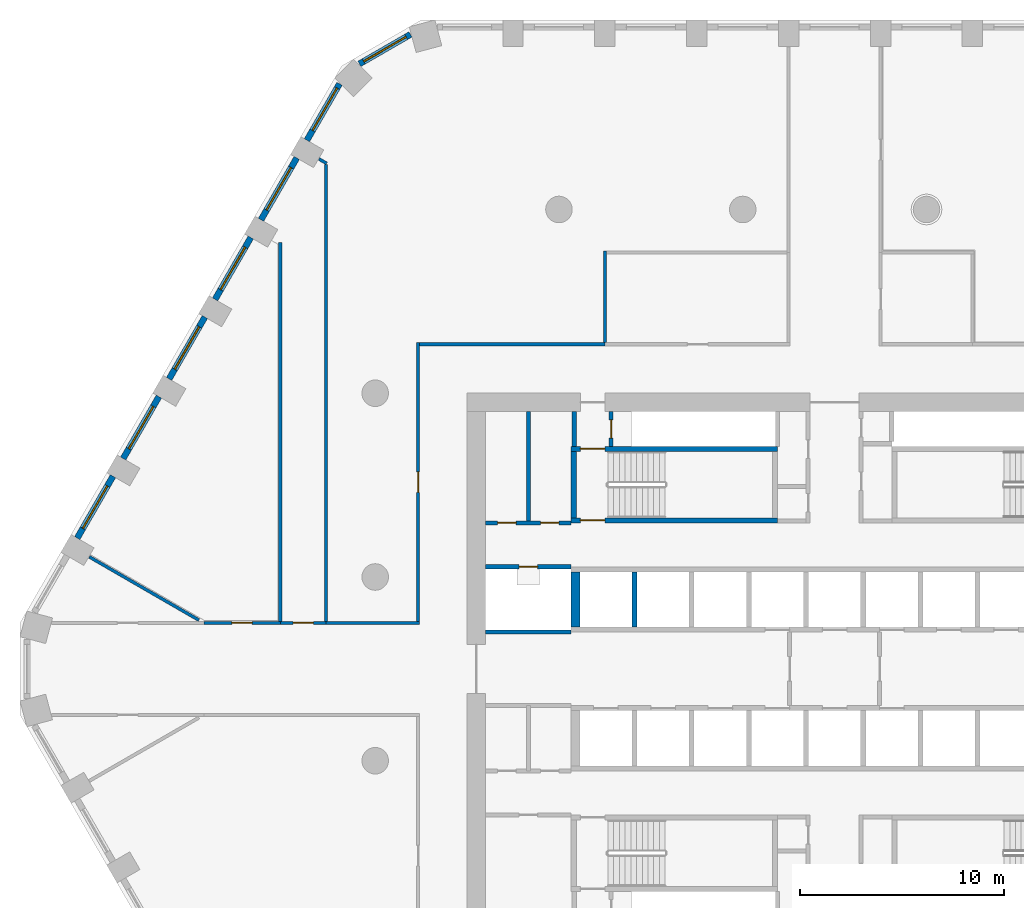
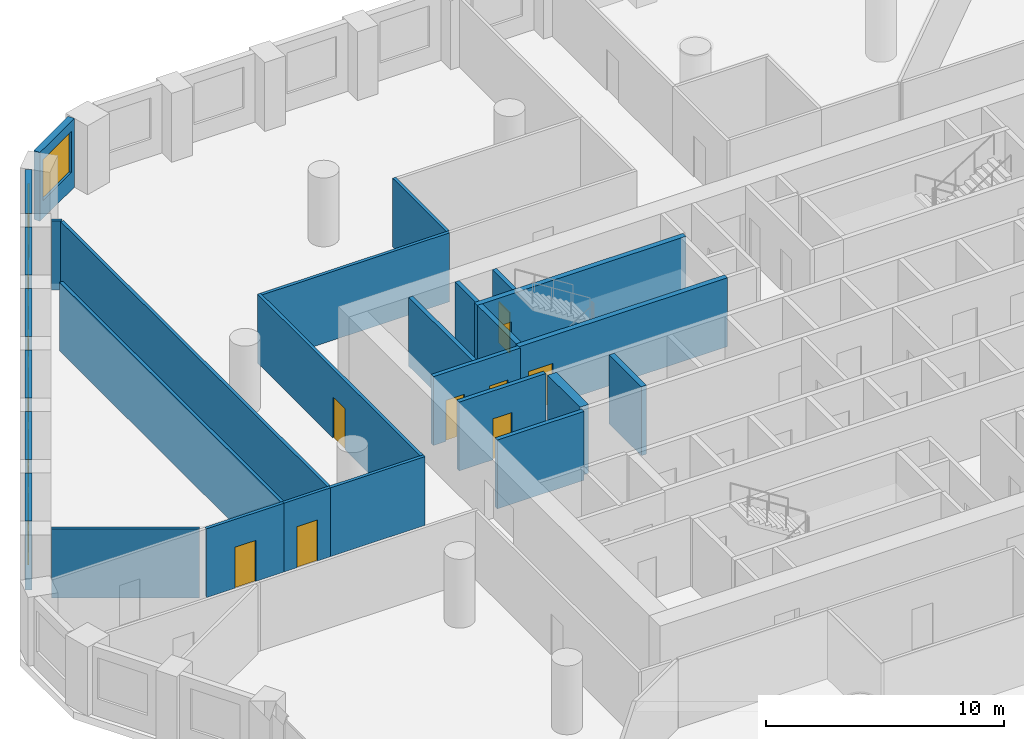
# One storey, part 5 of 14: 28 walls, 9 doors, 7 windows, 16 openings.
"""IFC4 building model written with IfcOpenShell, lengths in metres."""

from ifc_helpers import new_model, si_unit, direction, frame, frame_2d, origin, place, context, subcontext, project, spatial, polyline, rectangle, outline, extrude, material, layer, layer_set, type_object, element, fill, save


model = new_model("IFC4")

# Units and contexts
model_context = context("Model", 3, precision=1e-05, world=origin(), true_north=direction((0.0, 1.0)))
body_context = subcontext(model_context, "Body", "Model", "MODEL_VIEW")
ifc_project = project(units=[si_unit("LENGTHUNIT", "METRE"), si_unit("AREAUNIT", "SQUARE_METRE"), si_unit("VOLUMEUNIT", "CUBIC_METRE"), si_unit("PLANEANGLEUNIT", "RADIAN"), si_unit("MASSUNIT", "GRAM", prefix="KILO")], contexts=[model_context])

# Site, building, storey
site_placement = place(None, origin())
site = spatial("IfcSite", under=ifc_project, at=site_placement, CompositionType="ELEMENT")
building_placement = place(site_placement, origin())
building = spatial("IfcBuilding", under=site, at=building_placement, Name="Dhurran Vertical Campus", CompositionType="ELEMENT")
storey_placement = place(building_placement, frame((0.0, 0.0, 96.89990234375)))
storey = spatial("IfcBuildingStorey", under=building, at=storey_placement, Name="L23", CompositionType="ELEMENT", Elevation=96.89990234375)

# Wall, opening, window
ifc_material_1 = material(Name="Precast concrete C50/60", Category="concrete")
ifc_layer_1 = layer(ifc_material_1, 0.300048828125)
ifc_layer_set_1 = layer_set([ifc_layer_1], Name="Precast concrete C50/60")
wall_type_1 = type_object("IfcWallType", Name="Precast spandrel wall 300", PredefinedType="SOLIDWALL", material=ifc_layer_set_1)
wall_1_placement = place(storey_placement, frame((-20.774169921875, 31.072998046875, 0.0), z_axis=(0.0, 0.0, 1.0), x_axis=(-0.866053149362, -0.49995194017, 0.0)))
wall_1 = element("IfcWall", 1, at=wall_1_placement, inside=storey, type_object=wall_type_1, Name="EW1 L23.35", PredefinedType="SOLIDWALL", context=body_context, shape_type="SweptSolid", body=[
    extrude(rectangle(XDim=2.885498046875, YDim=0.300048828125, at=frame_2d((1.44287109375, 0.0))), origin(), (0.0, 0.0, 1.0), 3.525146484375),
])
opening_1_placement = place(wall_1_placement, frame((0.242919921875, 0.0, 0.89990234375)))
opening_1 = element("IfcOpeningElement", 2, at=opening_1_placement, cuts=wall_1, Name="Opening WT1", PredefinedType="OPENING", context=body_context, shape_type="SweptSolid", body=[
    extrude(rectangle(XDim=2.39990234375, YDim=2.10009765625, at=frame_2d((1.199951171875, 1.050048828125))), frame((0.0, 0.159912109375, 0.0), z_axis=(0.0, -1.0, 0.0), x_axis=(1.0, 0.0, 0.0)), (0.0, 0.0, 1.0), 0.320068359375),
])
ifc_material_2 = material(Name="Aluminium frame with solar-control glass", Category="aluminium")
window_type = type_object("IfcWindowType", Name="Punched window 2400 x 2100", PartitioningType="SINGLE_PANEL", PredefinedType="WINDOW", material=ifc_material_2)
window_1_placement = place(opening_1_placement, origin())
window_1 = element("IfcWindow", 3, at=window_1_placement, inside=storey, type_object=window_type, Name="WT1 L23.35", OverallHeight=2.10009765625, OverallWidth=2.39990234375, PartitioningType="SINGLE_PANEL", PredefinedType="WINDOW", context=body_context, shape_type="SweptSolid", body=[
    extrude(rectangle(XDim=2.39990234375, YDim=2.10009765625, at=frame_2d((1.199951171875, 1.050048828125))), frame((0.0, 0.030029296875, 0.0), z_axis=(0.0, -1.0, 0.0), x_axis=(1.0, 0.0, 0.0)), (0.0, 0.0, 1.0), 0.06005859375),
])
fill(opening_1, window_1)

wall_2_placement = place(storey_placement, frame((-24.24755859375, 28.65576171875, 0.0), z_axis=(0.0, 0.0, 1.0), x_axis=(-0.500004907028, -0.866022570692, 0.0)))
wall_2 = element("IfcWall", 4, at=wall_2_placement, inside=storey, type_object=wall_type_1, Name="EW1 L23.36", PredefinedType="SOLIDWALL", context=body_context, shape_type="SweptSolid", body=[
    extrude(rectangle(XDim=3.1923828125, YDim=0.300048828125, at=frame_2d((1.59619140625, 0.0))), origin(), (0.0, 0.0, 1.0), 3.525146484375),
])
opening_2_placement = place(wall_2_placement, frame((0.242919921875, 0.0, 0.89990234375)))
opening_2 = element("IfcOpeningElement", 5, at=opening_2_placement, cuts=wall_2, Name="Opening WT1", PredefinedType="OPENING", context=body_context, shape_type="SweptSolid", body=[
    extrude(rectangle(XDim=2.39990234375, YDim=2.10009765625, at=frame_2d((1.199951171875, 1.050048828125))), frame((0.0, 0.159912109375, 0.0), z_axis=(0.0, -1.0, 0.0), x_axis=(1.0, 0.0, 0.0)), (0.0, 0.0, 1.0), 0.320068359375),
])
window_2_placement = place(opening_2_placement, origin())
window_2 = element("IfcWindow", 6, at=window_2_placement, inside=storey, type_object=window_type, Name="WT1 L23.36", OverallHeight=2.10009765625, OverallWidth=2.39990234375, PartitioningType="SINGLE_PANEL", PredefinedType="WINDOW", context=body_context, shape_type="SweptSolid", body=[
    extrude(rectangle(XDim=2.39990234375, YDim=2.10009765625, at=frame_2d((1.199951171875, 1.050048828125))), frame((0.0, 0.030029296875, 0.0), z_axis=(0.0, -1.0, 0.0), x_axis=(1.0, 0.0, 0.0)), (0.0, 0.0, 1.0), 0.06005859375),
])
fill(opening_2, window_2)

wall_3_placement = place(storey_placement, frame((-26.34423828125, 25.024169921875, 0.0), z_axis=(0.0, 0.0, 1.0), x_axis=(-0.499996256241, -0.866027565234, 0.0)))
wall_3 = element("IfcWall", 7, at=wall_3_placement, inside=storey, type_object=wall_type_1, Name="EW1 L23.37", PredefinedType="SOLIDWALL", context=body_context, shape_type="SweptSolid", body=[
    extrude(rectangle(XDim=3.4990234375, YDim=0.300048828125, at=frame_2d((1.74951171875, 0.0))), origin(), (0.0, 0.0, 1.0), 3.525146484375),
])
opening_3_placement = place(wall_3_placement, frame((0.549560546875, 0.0, 0.89990234375)))
opening_3 = element("IfcOpeningElement", 8, at=opening_3_placement, cuts=wall_3, Name="Opening WT1", PredefinedType="OPENING", context=body_context, shape_type="SweptSolid", body=[
    extrude(rectangle(XDim=2.39990234375, YDim=2.10009765625, at=frame_2d((1.199951171875, 1.050048828125))), frame((0.0, 0.159912109375, 0.0), z_axis=(0.0, -1.0, 0.0), x_axis=(1.0, 0.0, 0.0)), (0.0, 0.0, 1.0), 0.320068359375),
])
window_3_placement = place(opening_3_placement, origin())
window_3 = element("IfcWindow", 9, at=window_3_placement, inside=storey, type_object=window_type, Name="WT1 L23.37", OverallHeight=2.10009765625, OverallWidth=2.39990234375, PartitioningType="SINGLE_PANEL", PredefinedType="WINDOW", context=body_context, shape_type="SweptSolid", body=[
    extrude(rectangle(XDim=2.39990234375, YDim=2.10009765625, at=frame_2d((1.199951171875, 1.050048828125))), frame((0.0, 0.030029296875, 0.0), z_axis=(0.0, -1.0, 0.0), x_axis=(1.0, 0.0, 0.0)), (0.0, 0.0, 1.0), 0.06005859375),
])
fill(opening_3, window_3)

wall_4_placement = place(storey_placement, frame((-28.59423828125, 21.127197265625, 0.0), z_axis=(0.0, 0.0, 1.0), x_axis=(-0.499996256241, -0.866027565234, 0.0)))
wall_4 = element("IfcWall", 10, at=wall_4_placement, inside=storey, type_object=wall_type_1, Name="EW1 L23.38", PredefinedType="SOLIDWALL", context=body_context, shape_type="SweptSolid", body=[
    extrude(rectangle(XDim=3.4990234375, YDim=0.300048828125, at=frame_2d((1.74951171875, 0.0))), origin(), (0.0, 0.0, 1.0), 3.525146484375),
])
opening_4_placement = place(wall_4_placement, frame((0.549560546875, 0.0, 0.89990234375)))
opening_4 = element("IfcOpeningElement", 11, at=opening_4_placement, cuts=wall_4, Name="Opening WT1", PredefinedType="OPENING", context=body_context, shape_type="SweptSolid", body=[
    extrude(rectangle(XDim=2.39990234375, YDim=2.10009765625, at=frame_2d((1.199951171875, 1.050048828125))), frame((0.0, 0.159912109375, 0.0), z_axis=(0.0, -1.0, 0.0), x_axis=(1.0, 0.0, 0.0)), (0.0, 0.0, 1.0), 0.320068359375),
])
window_4_placement = place(opening_4_placement, origin())
window_4 = element("IfcWindow", 12, at=window_4_placement, inside=storey, type_object=window_type, Name="WT1 L23.38", OverallHeight=2.10009765625, OverallWidth=2.39990234375, PartitioningType="SINGLE_PANEL", PredefinedType="WINDOW", context=body_context, shape_type="SweptSolid", body=[
    extrude(rectangle(XDim=2.39990234375, YDim=2.10009765625, at=frame_2d((1.199951171875, 1.050048828125))), frame((0.0, 0.030029296875, 0.0), z_axis=(0.0, -1.0, 0.0), x_axis=(1.0, 0.0, 0.0)), (0.0, 0.0, 1.0), 0.06005859375),
])
fill(opening_4, window_4)

wall_5_placement = place(storey_placement, frame((-30.84423828125, 17.22998046875, 0.0), z_axis=(0.0, 0.0, 1.0), x_axis=(-0.499996256241, -0.866027565234, 0.0)))
wall_5 = element("IfcWall", 13, at=wall_5_placement, inside=storey, type_object=wall_type_1, Name="EW1 L23.39", PredefinedType="SOLIDWALL", context=body_context, shape_type="SweptSolid", body=[
    extrude(rectangle(XDim=3.4990234375, YDim=0.300048828125, at=frame_2d((1.74951171875, 0.0))), origin(), (0.0, 0.0, 1.0), 3.525146484375),
])
opening_5_placement = place(wall_5_placement, frame((0.549560546875, 0.0, 0.89990234375)))
opening_5 = element("IfcOpeningElement", 14, at=opening_5_placement, cuts=wall_5, Name="Opening WT1", PredefinedType="OPENING", context=body_context, shape_type="SweptSolid", body=[
    extrude(rectangle(XDim=2.39990234375, YDim=2.10009765625, at=frame_2d((1.199951171875, 1.050048828125))), frame((0.0, 0.159912109375, 0.0), z_axis=(0.0, -1.0, 0.0), x_axis=(1.0, 0.0, 0.0)), (0.0, 0.0, 1.0), 0.320068359375),
])
window_5_placement = place(opening_5_placement, origin())
window_5 = element("IfcWindow", 15, at=window_5_placement, inside=storey, type_object=window_type, Name="WT1 L23.39", OverallHeight=2.10009765625, OverallWidth=2.39990234375, PartitioningType="SINGLE_PANEL", PredefinedType="WINDOW", context=body_context, shape_type="SweptSolid", body=[
    extrude(rectangle(XDim=2.39990234375, YDim=2.10009765625, at=frame_2d((1.199951171875, 1.050048828125))), frame((0.0, 0.030029296875, 0.0), z_axis=(0.0, -1.0, 0.0), x_axis=(1.0, 0.0, 0.0)), (0.0, 0.0, 1.0), 0.06005859375),
])
fill(opening_5, window_5)

wall_6_placement = place(storey_placement, frame((-33.09423828125, 13.3330078125, 0.0), z_axis=(0.0, 0.0, 1.0), x_axis=(-0.499996256241, -0.866027565234, 0.0)))
wall_6 = element("IfcWall", 16, at=wall_6_placement, inside=storey, type_object=wall_type_1, Name="EW1 L23.40", PredefinedType="SOLIDWALL", context=body_context, shape_type="SweptSolid", body=[
    extrude(rectangle(XDim=3.4990234375, YDim=0.300048828125, at=frame_2d((1.74951171875, 0.0))), origin(), (0.0, 0.0, 1.0), 3.525146484375),
])
opening_6_placement = place(wall_6_placement, frame((0.549560546875, 0.0, 0.89990234375)))
opening_6 = element("IfcOpeningElement", 17, at=opening_6_placement, cuts=wall_6, Name="Opening WT1", PredefinedType="OPENING", context=body_context, shape_type="SweptSolid", body=[
    extrude(rectangle(XDim=2.39990234375, YDim=2.10009765625, at=frame_2d((1.199951171875, 1.050048828125))), frame((0.0, 0.159912109375, 0.0), z_axis=(0.0, -1.0, 0.0), x_axis=(1.0, 0.0, 0.0)), (0.0, 0.0, 1.0), 0.320068359375),
])
window_6_placement = place(opening_6_placement, origin())
window_6 = element("IfcWindow", 18, at=window_6_placement, inside=storey, type_object=window_type, Name="WT1 L23.40", OverallHeight=2.10009765625, OverallWidth=2.39990234375, PartitioningType="SINGLE_PANEL", PredefinedType="WINDOW", context=body_context, shape_type="SweptSolid", body=[
    extrude(rectangle(XDim=2.39990234375, YDim=2.10009765625, at=frame_2d((1.199951171875, 1.050048828125))), frame((0.0, 0.030029296875, 0.0), z_axis=(0.0, -1.0, 0.0), x_axis=(1.0, 0.0, 0.0)), (0.0, 0.0, 1.0), 0.06005859375),
])
fill(opening_6, window_6)

wall_7_placement = place(storey_placement, frame((-35.34423828125, 9.435791015625, 0.0), z_axis=(0.0, 0.0, 1.0), x_axis=(-0.499996256241, -0.866027565234, 0.0)))
wall_7 = element("IfcWall", 19, at=wall_7_placement, inside=storey, type_object=wall_type_1, Name="EW1 L23.41", PredefinedType="SOLIDWALL", context=body_context, shape_type="SweptSolid", body=[
    extrude(rectangle(XDim=3.4990234375, YDim=0.300048828125, at=frame_2d((1.74951171875, 0.0))), origin(), (0.0, 0.0, 1.0), 3.525146484375),
])
opening_7_placement = place(wall_7_placement, frame((0.549560546875, 0.0, 0.89990234375)))
opening_7 = element("IfcOpeningElement", 20, at=opening_7_placement, cuts=wall_7, Name="Opening WT1", PredefinedType="OPENING", context=body_context, shape_type="SweptSolid", body=[
    extrude(rectangle(XDim=2.39990234375, YDim=2.10009765625, at=frame_2d((1.199951171875, 1.050048828125))), frame((0.0, 0.159912109375, 0.0), z_axis=(0.0, -1.0, 0.0), x_axis=(1.0, 0.0, 0.0)), (0.0, 0.0, 1.0), 0.320068359375),
])
window_7_placement = place(opening_7_placement, origin())
window_7 = element("IfcWindow", 21, at=window_7_placement, inside=storey, type_object=window_type, Name="WT1 L23.41", OverallHeight=2.10009765625, OverallWidth=2.39990234375, PartitioningType="SINGLE_PANEL", PredefinedType="WINDOW", context=body_context, shape_type="SweptSolid", body=[
    extrude(rectangle(XDim=2.39990234375, YDim=2.10009765625, at=frame_2d((1.199951171875, 1.050048828125))), frame((0.0, 0.030029296875, 0.0), z_axis=(0.0, -1.0, 0.0), x_axis=(1.0, 0.0, 0.0)), (0.0, 0.0, 1.0), 0.06005859375),
])
fill(opening_7, window_7)

# Wall
ifc_material_3 = material(Name="Fire-rated masonry blockwork", Category="masonry")
ifc_layer_2 = layer(ifc_material_3, 0.199951171875)
ifc_layer_set_2 = layer_set([ifc_layer_2], Name="Fire-rated masonry blockwork")
wall_type_2 = type_object("IfcWallType", Name="co-FIRE-PARTITION-200", PredefinedType="PARTITIONING", material=ifc_layer_set_2)
wall_8_placement = place(storey_placement, frame((-12.75, 10.89990234375, 0.0), z_axis=(0.0, 0.0, 1.0), x_axis=(0.0, 1.0, 0.0)))
element("IfcWall", 22, at=wall_8_placement, inside=storey, type_object=wall_type_2, Name="Core partition pass-ST1-o L23", PredefinedType="PARTITIONING", context=body_context, shape_type="SweptSolid", body=[
    extrude(rectangle(XDim=1.7001953125, YDim=0.199951171875, at=frame_2d((0.85009765625, 0.0))), origin(), (0.0, 0.0, 1.0), 3.525146484375),
])

# Wall, opening, door
wall_9_placement = place(storey_placement, frame((-10.949951171875, 10.89990234375, 0.0), z_axis=(0.0, 0.0, 1.0), x_axis=(0.0, 1.0, 0.0)))
wall_9 = element("IfcWall", 23, at=wall_9_placement, inside=storey, type_object=wall_type_2, Name="Core partition pass-ST1-i L23", PredefinedType="PARTITIONING", context=body_context, shape_type="SweptSolid", body=[
    extrude(rectangle(XDim=1.7001953125, YDim=0.199951171875, at=frame_2d((0.85009765625, 0.0))), origin(), (0.0, 0.0, 1.0), 3.525146484375),
])
opening_8_placement = place(wall_9_placement, frame((0.39990234375, 0.0, 0.0)))
opening_8 = element("IfcOpeningElement", 24, at=opening_8_placement, cuts=wall_9, Name="Opening T06-C8", PredefinedType="OPENING", context=body_context, shape_type="SweptSolid", body=[
    extrude(rectangle(XDim=0.89990234375, YDim=2.10009765625, at=frame_2d((0.449951171875, 1.050048828125))), frame((0.0, 0.10986328125, 0.0), z_axis=(0.0, -1.0, 0.0), x_axis=(1.0, 0.0, 0.0)), (0.0, 0.0, 1.0), 0.219970703125),
])
ifc_material_4 = material(Name="Fire-rated timber door set", Category="wood")
door_type_1 = type_object("IfcDoorType", Name="co-D-ROOM 900x2100", OperationType="SINGLE_SWING_LEFT", PredefinedType="DOOR", material=ifc_material_4)
door_1_placement = place(opening_8_placement, origin())
door_1 = element("IfcDoor", 25, at=door_1_placement, inside=storey, type_object=door_type_1, Name="Riser room door L23", OperationType="SINGLE_SWING_LEFT", OverallHeight=2.10009765625, OverallWidth=0.89990234375, PredefinedType="DOOR", context=body_context, shape_type="SweptSolid", body=[
    extrude(rectangle(XDim=0.89990234375, YDim=2.10009765625, at=frame_2d((0.449951171875, 1.050048828125))), frame((0.0, 0.02490234375, 0.0), z_axis=(0.0, -1.0, 0.0), x_axis=(1.0, 0.0, 0.0)), (0.0, 0.0, 1.0), 0.050048828125),
])
fill(opening_8, door_1)

# Wall
wall_10_placement = place(storey_placement, frame((-15.0, 7.14990234375, 0.0), z_axis=(0.0, 0.0, 1.0), x_axis=(0.0, 1.0, 0.0)))
element("IfcWall", 26, at=wall_10_placement, inside=storey, type_object=wall_type_2, Name="Core partition en-NW-cut0 L23", PredefinedType="PARTITIONING", context=body_context, shape_type="SweptSolid", body=[
    extrude(rectangle(XDim=5.4501953125, YDim=0.199951171875, at=frame_2d((2.72509765625, 0.0))), origin(), (0.0, 0.0, 1.0), 3.525146484375),
])

# Wall, openings, doors
wall_11_placement = place(storey_placement, frame((-17.10009765625, 7.14990234375, 0.0), z_axis=(0.0, 0.0, 1.0), x_axis=(1.0, 0.0, 0.0)))
wall_11 = element("IfcWall", 27, at=wall_11_placement, inside=storey, type_object=wall_type_2, Name="Core partition en-NW-w L23", PredefinedType="PARTITIONING", context=body_context, shape_type="SweptSolid", body=[
    extrude(rectangle(XDim=4.2001953125, YDim=0.199951171875, at=frame_2d((2.10009765625, 0.0))), origin(), (0.0, 0.0, 1.0), 3.525146484375),
])
opening_9_placement = place(wall_11_placement, frame((0.60009765625, 0.0, 0.0)))
opening_9 = element("IfcOpeningElement", 28, at=opening_9_placement, cuts=wall_11, Name="Opening T06-C12", PredefinedType="OPENING", context=body_context, shape_type="SweptSolid", body=[
    extrude(rectangle(XDim=0.89990234375, YDim=2.10009765625, at=frame_2d((0.449951171875, 1.050048828125))), frame((0.0, 0.10986328125, 0.0), z_axis=(0.0, -1.0, 0.0), x_axis=(1.0, 0.0, 0.0)), (0.0, 0.0, 1.0), 0.219970703125),
])
opening_10_placement = place(wall_11_placement, frame((2.699951171875, 0.0, 0.0)))
opening_10 = element("IfcOpeningElement", 29, at=opening_10_placement, cuts=wall_11, Name="Opening T06-C13", PredefinedType="OPENING", context=body_context, shape_type="SweptSolid", body=[
    extrude(rectangle(XDim=0.89990234375, YDim=2.10009765625, at=frame_2d((0.449951171875, 1.050048828125))), frame((0.0, 0.10986328125, 0.0), z_axis=(0.0, -1.0, 0.0), x_axis=(1.0, 0.0, 0.0)), (0.0, 0.0, 1.0), 0.219970703125),
])
door_2_placement = place(opening_9_placement, origin())
door_2 = element("IfcDoor", 30, at=door_2_placement, inside=storey, type_object=door_type_1, Name="Housekeeping store door L23", OperationType="SINGLE_SWING_LEFT", OverallHeight=2.10009765625, OverallWidth=0.89990234375, PredefinedType="DOOR", context=body_context, shape_type="SweptSolid", body=[
    extrude(rectangle(XDim=0.89990234375, YDim=2.10009765625, at=frame_2d((0.449951171875, 1.050048828125))), frame((0.0, 0.02490234375, 0.0), z_axis=(0.0, -1.0, 0.0), x_axis=(1.0, 0.0, 0.0)), (0.0, 0.0, 1.0), 0.050048828125),
])
fill(opening_9, door_2)
door_3_placement = place(opening_10_placement, origin())
door_3 = element("IfcDoor", 31, at=door_3_placement, inside=storey, type_object=door_type_1, Name="Waste room door L23", OperationType="SINGLE_SWING_LEFT", OverallHeight=2.10009765625, OverallWidth=0.89990234375, PredefinedType="DOOR", context=body_context, shape_type="SweptSolid", body=[
    extrude(rectangle(XDim=0.89990234375, YDim=2.10009765625, at=frame_2d((0.449951171875, 1.050048828125))), frame((0.0, 0.02490234375, 0.0), z_axis=(0.0, -1.0, 0.0), x_axis=(1.0, 0.0, 0.0)), (0.0, 0.0, 1.0), 0.050048828125),
])
fill(opening_10, door_3)

# Wall, opening, door
wall_12_placement = place(storey_placement, frame((-17.10009765625, 5.0, 0.0), z_axis=(0.0, 0.0, 1.0), x_axis=(1.0, 0.0, 0.0)))
wall_12 = element("IfcWall", 32, at=wall_12_placement, inside=storey, type_object=wall_type_2, Name="Core partition es-NW-w L23", PredefinedType="PARTITIONING", context=body_context, shape_type="SweptSolid", body=[
    extrude(rectangle(XDim=4.2001953125, YDim=0.199951171875, at=frame_2d((2.10009765625, 0.0))), origin(), (0.0, 0.0, 1.0), 3.525146484375),
])
opening_11_placement = place(wall_12_placement, frame((1.64990234375, 0.0, 0.0)))
opening_11 = element("IfcOpeningElement", 33, at=opening_11_placement, cuts=wall_12, Name="Opening T06-C14", PredefinedType="OPENING", context=body_context, shape_type="SweptSolid", body=[
    extrude(rectangle(XDim=0.89990234375, YDim=2.10009765625, at=frame_2d((0.449951171875, 1.050048828125))), frame((0.0, 0.10986328125, 0.0), z_axis=(0.0, -1.0, 0.0), x_axis=(1.0, 0.0, 0.0)), (0.0, 0.0, 1.0), 0.219970703125),
])
door_4_placement = place(opening_11_placement, origin())
door_4 = element("IfcDoor", 34, at=door_4_placement, inside=storey, type_object=door_type_1, Name="Water riser door L23", OperationType="SINGLE_SWING_LEFT", OverallHeight=2.10009765625, OverallWidth=0.89990234375, PredefinedType="DOOR", context=body_context, shape_type="SweptSolid", body=[
    extrude(rectangle(XDim=0.89990234375, YDim=2.10009765625, at=frame_2d((0.449951171875, 1.050048828125))), frame((0.0, 0.02490234375, 0.0), z_axis=(0.0, -1.0, 0.0), x_axis=(1.0, 0.0, 0.0)), (0.0, 0.0, 1.0), 0.050048828125),
])
fill(opening_11, door_4)

# Walls
wall_13_placement = place(storey_placement, frame((-17.10009765625, 1.800048828125, 0.0), z_axis=(0.0, 0.0, 1.0), x_axis=(1.0, 0.0, 0.0)))
element("IfcWall", 35, at=wall_13_placement, inside=storey, type_object=wall_type_2, Name="Core partition es-NW-l L23", PredefinedType="PARTITIONING", context=body_context, shape_type="SweptSolid", body=[
    extrude(rectangle(XDim=4.2001953125, YDim=0.199951171875, at=frame_2d((2.10009765625, 0.0))), origin(), (0.0, 0.0, 1.0), 3.525146484375),
])
ifc_material_5 = material(Name="Concrete C50/60", Category="concrete")
ifc_layer_3 = layer(ifc_material_5, 0.25)
ifc_layer_set_3 = layer_set([ifc_layer_3], Name="Concrete C50/60")
wall_type_3 = type_object("IfcWallType", Name="co-SHAFT-MASS-250", PredefinedType="SHEAR", material=ifc_layer_set_3)
wall_14_placement = place(storey_placement, origin())
element("IfcWall", 36, at=wall_14_placement, inside=storey, type_object=wall_type_3, Name="Lift shaft wall N L23 2", PredefinedType="SHEAR", context=body_context, shape_type="SweptSolid", body=[
    extrude(outline(polyline([(-12.89990234375, 2.050048828125), (-12.47509765625, 2.050048828125), (-12.47509765625, 4.75), (-12.89990234375, 4.75), (-12.89990234375, 2.050048828125)])), origin(), (0.0, 0.0, 1.0), 3.525146484375),
])
wall_15_placement = place(storey_placement, origin())
element("IfcWall", 37, at=wall_15_placement, inside=storey, type_object=wall_type_3, Name="Lift shaft wall N L23 3", PredefinedType="SHEAR", context=body_context, shape_type="SweptSolid", body=[
    extrude(outline(polyline([(-9.925048828125, 2.050048828125), (-9.675048828125, 2.050048828125), (-9.675048828125, 4.75), (-9.925048828125, 4.75), (-9.925048828125, 2.050048828125)])), origin(), (0.0, 0.0, 1.0), 3.525146484375),
])

# Wall, opening, door
ifc_material_6 = material(Name="Concrete C40/50", Category="concrete")
ifc_layer_4 = layer(ifc_material_6, 0.25)
ifc_layer_set_4 = layer_set([ifc_layer_4], Name="Concrete C40/50")
wall_type_4 = type_object("IfcWallType", Name="co-STAIR-WALL-250", PredefinedType="SHEAR", material=ifc_layer_set_4)
wall_16_placement = place(storey_placement, frame((-12.89990234375, 7.27490234375, 0.0), z_axis=(0.0, 0.0, 1.0), x_axis=(1.0, 0.0, 0.0)))
wall_16 = element("IfcWall", 38, at=wall_16_placement, inside=storey, type_object=wall_type_4, Name="Stair ST1 enclosure wall L23", PredefinedType="SHEAR", context=body_context, shape_type="SweptSolid", body=[
    extrude(rectangle(XDim=10.099853515625, YDim=0.25, at=frame_2d((5.0498046875, 0.0))), origin(), (0.0, 0.0, 1.0), 3.525146484375),
])
opening_12_placement = place(wall_16_placement, frame((0.449951171875, 0.0, 0.0)))
opening_12 = element("IfcOpeningElement", 39, at=opening_12_placement, cuts=wall_16, Name="Opening SD1", PredefinedType="OPENING", context=body_context, shape_type="SweptSolid", body=[
    extrude(rectangle(XDim=1.199951171875, YDim=2.10009765625, at=frame_2d((0.60009765625, 1.050048828125))), frame((0.0, 0.135009765625, 0.0), z_axis=(0.0, -1.0, 0.0), x_axis=(1.0, 0.0, 0.0)), (0.0, 0.0, 1.0), 0.27001953125),
])
ifc_material_7 = material(Name="Fire-rated steel door set", Category="steel")
door_type_2 = type_object("IfcDoorType", Name="co-D-STAIR 1200x2100", OperationType="SINGLE_SWING_LEFT", PredefinedType="DOOR", material=ifc_material_7)
door_5_placement = place(opening_12_placement, origin())
door_5 = element("IfcDoor", 40, at=door_5_placement, inside=storey, type_object=door_type_2, Name="Stair ST1 door L23", OperationType="SINGLE_SWING_LEFT", OverallHeight=2.10009765625, OverallWidth=1.199951171875, PredefinedType="DOOR", context=body_context, shape_type="SweptSolid", body=[
    extrude(rectangle(XDim=1.199951171875, YDim=2.10009765625, at=frame_2d((0.60009765625, 1.050048828125))), frame((0.0, 0.02490234375, 0.0), z_axis=(0.0, -1.0, 0.0), x_axis=(1.0, 0.0, 0.0)), (0.0, 0.0, 1.0), 0.050048828125),
])
fill(opening_12, door_5)

wall_17_placement = place(storey_placement, frame((-12.89990234375, 10.77490234375, 0.0), z_axis=(0.0, 0.0, 1.0), x_axis=(1.0, 0.0, 0.0)))
wall_17 = element("IfcWall", 41, at=wall_17_placement, inside=storey, type_object=wall_type_4, Name="Stair ST1 enclosure wall L23", PredefinedType="SHEAR", context=body_context, shape_type="SweptSolid", body=[
    extrude(rectangle(XDim=10.099853515625, YDim=0.25, at=frame_2d((5.0498046875, 0.0))), origin(), (0.0, 0.0, 1.0), 3.525146484375),
])
opening_13_placement = place(wall_17_placement, frame((0.449951171875, 0.0, 0.0)))
opening_13 = element("IfcOpeningElement", 42, at=opening_13_placement, cuts=wall_17, Name="Opening XS1", PredefinedType="OPENING", context=body_context, shape_type="SweptSolid", body=[
    extrude(rectangle(XDim=1.199951171875, YDim=2.10009765625, at=frame_2d((0.60009765625, 1.050048828125))), frame((0.0, 0.135009765625, 0.0), z_axis=(0.0, -1.0, 0.0), x_axis=(1.0, 0.0, 0.0)), (0.0, 0.0, 1.0), 0.27001953125),
])
ifc_material_8 = material(Name="Fire-rated steel door set", Category="steel")
door_type_3 = type_object("IfcDoorType", Name="co-D-STAIR-EXIT 1200x2100", OperationType="SINGLE_SWING_RIGHT", PredefinedType="DOOR", material=ifc_material_8)
door_6_placement = place(opening_13_placement, origin())
door_6 = element("IfcDoor", 43, at=door_6_placement, inside=storey, type_object=door_type_3, Name="Stair ST1 discharge door L23", OperationType="SINGLE_SWING_RIGHT", OverallHeight=2.10009765625, OverallWidth=1.199951171875, PredefinedType="DOOR", context=body_context, shape_type="SweptSolid", body=[
    extrude(rectangle(XDim=1.199951171875, YDim=2.10009765625, at=frame_2d((0.60009765625, 1.050048828125))), frame((0.0, 0.02490234375, 0.0), z_axis=(0.0, -1.0, 0.0), x_axis=(1.0, 0.0, 0.0)), (0.0, 0.0, 1.0), 0.050048828125),
])
fill(opening_13, door_6)

# Wall
wall_18_placement = place(storey_placement, frame((-12.77490234375, 7.39990234375, 0.0), z_axis=(0.0, 0.0, 1.0), x_axis=(0.0, 1.0, 0.0)))
element("IfcWall", 44, at=wall_18_placement, inside=storey, type_object=wall_type_4, Name="Stair ST1 enclosure wall L23", PredefinedType="SHEAR", context=body_context, shape_type="SweptSolid", body=[
    extrude(rectangle(XDim=3.25, YDim=0.25, at=frame_2d((1.625, 0.0))), origin(), (0.0, 0.0, 1.0), 3.525146484375),
])

# Wall, opening, door
ifc_material_9 = material(Name="Gypsum board corridor wall on steel studs", Category="steel")
ifc_layer_5 = layer(ifc_material_9, 0.14990234375)
ifc_layer_set_5 = layer_set([ifc_layer_5], Name="Gypsum board corridor wall on steel studs")
wall_type_5 = type_object("IfcWallType", Name="fl-CW-150 corridor wall", PredefinedType="PARTITIONING", material=ifc_layer_set_5)
wall_19_placement = place(storey_placement, frame((-30.89697265625, 2.25, 0.0), z_axis=(0.0, 0.0, 1.0), x_axis=(1.0, 0.0, 0.0)))
wall_19 = element("IfcWall", 45, at=wall_19_placement, inside=storey, type_object=wall_type_5, Name="Partition 23-06", PredefinedType="PARTITIONING", context=body_context, shape_type="SweptSolid", body=[
    extrude(rectangle(XDim=3.7470703125, YDim=0.14990234375, at=frame_2d((1.87353515625, 0.0))), origin(), (0.0, 0.0, 1.0), 3.525146484375),
])
opening_14_placement = place(wall_19_placement, frame((1.37353515625, 0.0, 0.0)))
opening_14 = element("IfcOpeningElement", 46, at=opening_14_placement, cuts=wall_19, Name="Opening T06.03", PredefinedType="OPENING", context=body_context, shape_type="SweptSolid", body=[
    extrude(rectangle(XDim=1.0, YDim=2.10009765625, at=frame_2d((0.5, 1.050048828125))), frame((0.0, 0.0849609375, 0.0), z_axis=(0.0, -1.0, 0.0), x_axis=(1.0, 0.0, 0.0)), (0.0, 0.0, 1.0), 0.169921875),
])
ifc_material_10 = material(Name="Solid-core timber door set, fire-rated", Category="wood")
door_type_4 = type_object("IfcDoorType", Name="fl-D-1000x2100", OperationType="SINGLE_SWING_LEFT", PredefinedType="DOOR", material=ifc_material_10)
door_7_placement = place(opening_14_placement, origin())
door_7 = element("IfcDoor", 47, at=door_7_placement, inside=storey, type_object=door_type_4, Name="Door 23.03", OperationType="SINGLE_SWING_RIGHT", OverallHeight=2.10009765625, OverallWidth=1.0, PredefinedType="DOOR", context=body_context, shape_type="SweptSolid", body=[
    extrude(rectangle(XDim=1.0, YDim=2.10009765625, at=frame_2d((0.5, 1.050048828125))), frame((0.0, 0.02490234375, 0.0), z_axis=(0.0, -1.0, 0.0), x_axis=(1.0, 0.0, 0.0)), (0.0, 0.0, 1.0), 0.050048828125),
])
fill(opening_14, door_7)

wall_20_placement = place(storey_placement, frame((-27.14990234375, 2.25, 0.0), z_axis=(0.0, 0.0, 1.0), x_axis=(1.0, 0.0, 0.0)))
wall_20 = element("IfcWall", 48, at=wall_20_placement, inside=storey, type_object=wall_type_5, Name="Partition 23-09", PredefinedType="PARTITIONING", context=body_context, shape_type="SweptSolid", body=[
    extrude(rectangle(XDim=2.25, YDim=0.14990234375, at=frame_2d((1.125, 0.0))), origin(), (0.0, 0.0, 1.0), 3.525146484375),
])
opening_15_placement = place(wall_20_placement, frame((0.625, 0.0, 0.0)))
opening_15 = element("IfcOpeningElement", 49, at=opening_15_placement, cuts=wall_20, Name="Opening T06.05", PredefinedType="OPENING", context=body_context, shape_type="SweptSolid", body=[
    extrude(rectangle(XDim=1.0, YDim=2.10009765625, at=frame_2d((0.5, 1.050048828125))), frame((0.0, 0.0849609375, 0.0), z_axis=(0.0, -1.0, 0.0), x_axis=(1.0, 0.0, 0.0)), (0.0, 0.0, 1.0), 0.169921875),
])
door_8_placement = place(opening_15_placement, origin())
door_8 = element("IfcDoor", 50, at=door_8_placement, inside=storey, type_object=door_type_4, Name="Door 23.05", OperationType="SINGLE_SWING_LEFT", OverallHeight=2.10009765625, OverallWidth=1.0, PredefinedType="DOOR", context=body_context, shape_type="SweptSolid", body=[
    extrude(rectangle(XDim=1.0, YDim=2.10009765625, at=frame_2d((0.5, 1.050048828125))), frame((0.0, 0.02490234375, 0.0), z_axis=(0.0, -1.0, 0.0), x_axis=(1.0, 0.0, 0.0)), (0.0, 0.0, 1.0), 0.050048828125),
])
fill(opening_15, door_8)

# Wall
wall_21_placement = place(storey_placement, frame((-24.89990234375, 2.25, 0.0), z_axis=(0.0, 0.0, 1.0), x_axis=(1.0, 0.0, 0.0)))
element("IfcWall", 51, at=wall_21_placement, inside=storey, type_object=wall_type_5, Name="Partition 23-12", PredefinedType="PARTITIONING", context=body_context, shape_type="SweptSolid", body=[
    extrude(rectangle(XDim=4.574951171875, YDim=0.14990234375, at=frame_2d((2.28759765625, 0.0))), origin(), (0.0, 0.0, 1.0), 3.525146484375),
])

# Wall, opening, door
wall_22_placement = place(storey_placement, frame((-20.39990234375, 15.97509765625, 0.0), z_axis=(0.0, 0.0, 1.0), x_axis=(0.0, -1.0, 0.0)))
wall_22 = element("IfcWall", 52, at=wall_22_placement, inside=storey, type_object=wall_type_5, Name="Partition 23-15", PredefinedType="PARTITIONING", context=body_context, shape_type="SweptSolid", body=[
    extrude(rectangle(XDim=13.650146484375, YDim=0.14990234375, at=frame_2d((6.8251953125, 0.0))), origin(), (0.0, 0.0, 1.0), 3.525146484375),
])
opening_16_placement = place(wall_22_placement, frame((6.324951171875, 0.0, 0.0)))
opening_16 = element("IfcOpeningElement", 53, at=opening_16_placement, cuts=wall_22, Name="Opening T06.06", PredefinedType="OPENING", context=body_context, shape_type="SweptSolid", body=[
    extrude(rectangle(XDim=1.0, YDim=2.10009765625, at=frame_2d((0.5, 1.050048828125))), frame((0.0, 0.0849609375, 0.0), z_axis=(0.0, -1.0, 0.0), x_axis=(1.0, 0.0, 0.0)), (0.0, 0.0, 1.0), 0.169921875),
])
door_9_placement = place(opening_16_placement, origin())
door_9 = element("IfcDoor", 54, at=door_9_placement, inside=storey, type_object=door_type_4, Name="Door 23.06", OperationType="SINGLE_SWING_RIGHT", OverallHeight=2.10009765625, OverallWidth=1.0, PredefinedType="DOOR", context=body_context, shape_type="SweptSolid", body=[
    extrude(rectangle(XDim=1.0, YDim=2.10009765625, at=frame_2d((0.5, 1.050048828125))), frame((0.0, 0.02490234375, 0.0), z_axis=(0.0, -1.0, 0.0), x_axis=(1.0, 0.0, 0.0)), (0.0, 0.0, 1.0), 0.050048828125),
])
fill(opening_16, door_9)

# Walls
wall_23_placement = place(storey_placement, frame((-11.25, 15.89990234375, 0.0), z_axis=(0.0, 0.0, 1.0), x_axis=(-1.0, 0.0, 0.0)))
element("IfcWall", 55, at=wall_23_placement, inside=storey, type_object=wall_type_5, Name="Partition 23-16", PredefinedType="PARTITIONING", context=body_context, shape_type="SweptSolid", body=[
    extrude(rectangle(XDim=9.074951171875, YDim=0.14990234375, at=frame_2d((4.53759765625, 0.0))), origin(), (0.0, 0.0, 1.0), 3.525146484375),
])
ifc_material_11 = material(Name="Gypsum board partition on steel studs", Category="steel")
ifc_layer_6 = layer(ifc_material_11, 0.14990234375)
ifc_layer_set_6 = layer_set([ifc_layer_6], Name="Gypsum board partition on steel studs")
wall_type_6 = type_object("IfcWallType", Name="fl-PW-150 fixed partition", PredefinedType="PARTITIONING", material=ifc_layer_set_6)
wall_24_placement = place(storey_placement, frame((-36.50390625, 5.4873046875, 0.0), z_axis=(0.0, 0.0, 1.0), x_axis=(0.866007197923, -0.500031532152, 0.0)))
element("IfcWall", 56, at=wall_24_placement, inside=storey, type_object=wall_type_6, Name="Partition 23-04", PredefinedType="PARTITIONING", context=body_context, shape_type="SweptSolid", body=[
    extrude(rectangle(XDim=6.19921875, YDim=0.14990234375, at=frame_2d((3.099609375, 0.0))), origin(), (0.0, 0.0, 1.0), 3.525146484375),
])
wall_25_placement = place(storey_placement, frame((-27.14990234375, 20.87109375, 0.0), z_axis=(0.0, 0.0, 1.0), x_axis=(0.0, -1.0, 0.0)))
element("IfcWall", 57, at=wall_25_placement, inside=storey, type_object=wall_type_6, Name="Partition 23-08", PredefinedType="PARTITIONING", context=body_context, shape_type="SweptSolid", body=[
    extrude(rectangle(XDim=18.546142578125, YDim=0.14990234375, at=frame_2d((9.27294921875, 0.0))), origin(), (0.0, 0.0, 1.0), 3.525146484375),
])
wall_26_placement = place(storey_placement, frame((-25.25390625, 24.97265625, 0.0), z_axis=(0.0, 0.0, 1.0), x_axis=(0.865772940384, -0.500437024708, 0.0)))
element("IfcWall", 58, at=wall_26_placement, inside=storey, type_object=wall_type_6, Name="Partition 23-10", PredefinedType="PARTITIONING", context=body_context, shape_type="SweptSolid", body=[
    extrude(rectangle(XDim=0.43359375, YDim=0.14990234375, at=frame_2d((0.216796875, 0.0))), origin(), (0.0, 0.0, 1.0), 3.525146484375),
])
wall_27_placement = place(storey_placement, frame((-24.89990234375, 24.693115234375, 0.0), z_axis=(0.0, 0.0, 1.0), x_axis=(0.0, -1.0, 0.0)))
element("IfcWall", 59, at=wall_27_placement, inside=storey, type_object=wall_type_6, Name="Partition 23-11", PredefinedType="PARTITIONING", context=body_context, shape_type="SweptSolid", body=[
    extrude(rectangle(XDim=22.3681640625, YDim=0.14990234375, at=frame_2d((11.18408203125, 0.0))), origin(), (0.0, 0.0, 1.0), 3.525146484375),
])
wall_28_placement = place(storey_placement, frame((-11.25, 20.47509765625, 0.0), z_axis=(0.0, 0.0, 1.0), x_axis=(0.0, -1.0, 0.0)))
element("IfcWall", 60, at=wall_28_placement, inside=storey, type_object=wall_type_6, Name="Partition 23-21", PredefinedType="PARTITIONING", context=body_context, shape_type="SweptSolid", body=[
    extrude(rectangle(XDim=4.5, YDim=0.14990234375, at=frame_2d((2.25, 0.0))), origin(), (0.0, 0.0, 1.0), 3.525146484375),
])

save(model, "model.ifc")
